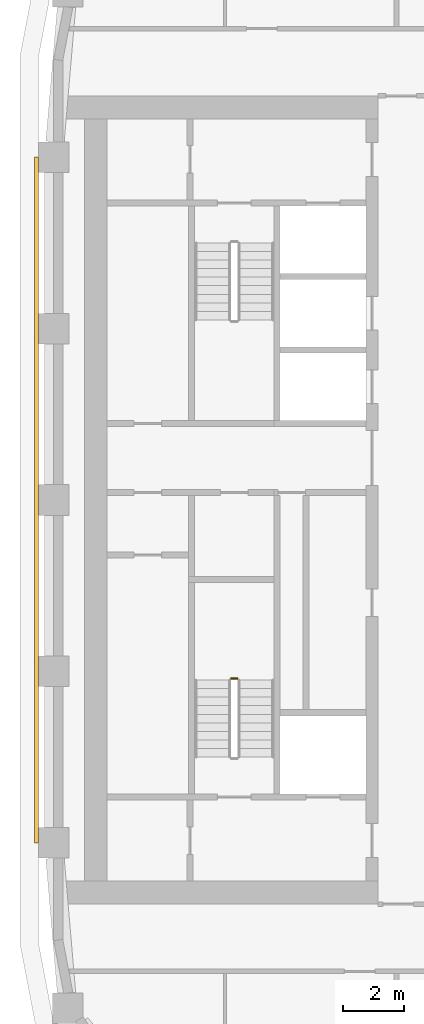
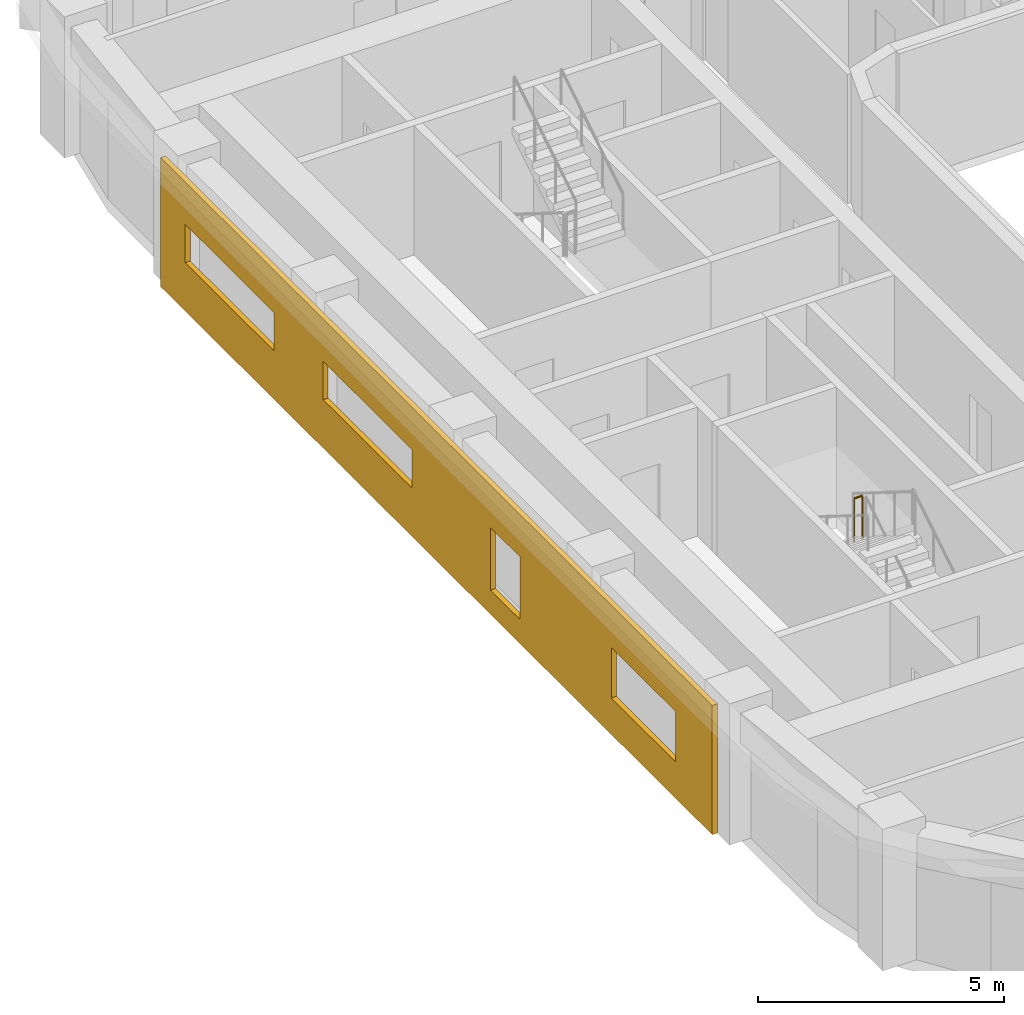
# One storey, part 13 of 22: 1 covering, 1 railing.
"""IFC4 building model written with IfcOpenShell, lengths in metres."""

from ifc_helpers import new_model, si_unit, direction, frame, origin, origin_2d, place, context, subcontext, project, spatial, polyline, circle, outline, extrude, material, layer, layer_set, type_object, element, save


model = new_model("IFC4")

# Units and contexts
model_context = context("Model", 3, precision=1e-05, world=origin(), true_north=direction((0.0, 1.0)))
body_context = subcontext(model_context, "Body", "Model", "MODEL_VIEW")
ifc_project = project(units=[si_unit("LENGTHUNIT", "METRE"), si_unit("AREAUNIT", "SQUARE_METRE"), si_unit("VOLUMEUNIT", "CUBIC_METRE"), si_unit("PLANEANGLEUNIT", "RADIAN"), si_unit("MASSUNIT", "GRAM", prefix="KILO")], contexts=[model_context])

# Site, building, storey
site_placement = place(None, origin())
site = spatial("IfcSite", under=ifc_project, at=site_placement, CompositionType="ELEMENT")
building_placement = place(site_placement, origin())
building = spatial("IfcBuilding", under=site, at=building_placement, Name="Kiln Ring Residences", CompositionType="ELEMENT")
storey_placement = place(building_placement, frame((0.0, 0.0, 167.60009765625)))
storey = spatial("IfcBuildingStorey", under=building, at=storey_placement, Name="L43", CompositionType="ELEMENT", Elevation=167.60009765625)

# Railing
ifc_material_1 = material(Name="Stainless steel", Category="steel")
railing_type = type_object("IfcRailingType", Name="CORE-STAIR-GUARD", PredefinedType="GUARDRAIL", material=ifc_material_1)
railing_placement = place(storey_placement, frame((-22.0, -5.830078125, 1.75)))
element("IfcRailing", 1, at=railing_placement, inside=storey, type_object=railing_type, Name="L43 W-STS stair guard 2", PredefinedType="GUARDRAIL", context=body_context, shape_type="SweptSolid", body=[
    extrude(circle(Radius=0.02392578125, at=origin_2d()), frame((0.0, 0.0, 1.076171875), z_axis=(-1.0, 0.0, 0.0), x_axis=(0.0, -1.0, 0.0)), (0.0, 0.0, 1.0), 0.199951171875),
    extrude(circle(Radius=0.02099609375, at=origin_2d()), origin(), (0.0, 0.0, 1.0), 1.052001953125),
    extrude(circle(Radius=0.02099609375, at=origin_2d()), frame((-0.199951171875, 0.0, 0.0)), (0.0, 0.0, 1.0), 1.052001953125),
])

# Covering
ifc_material_2 = material(Name="Brick masonry, dark clay brick", Category="masonry")
ifc_layer = layer(ifc_material_2, 0.1201171875)
ifc_layer_set = layer_set([ifc_layer], Name="RAINSCREEN PANEL 120")
covering_type = type_object("IfcCoveringType", Name="RAINSCREEN PANEL 120", PredefinedType="CLADDING", material=ifc_layer_set)
covering_placement = place(storey_placement, frame((-28.56005859375, 11.199951171875, 0.0), z_axis=(0.0, 0.0, 1.0), x_axis=(0.0, -1.0, 0.0)))
element("IfcCovering", 2, at=covering_placement, inside=storey, type_object=covering_type, Name="RAINSCREEN L43", PredefinedType="CLADDING", context=body_context, shape_type="SweptSolid", body=[
    extrude(outline(polyline([(0.0, 0.0), (22.39990234375, 0.0), (22.39990234375, 3.199951171875), (0.0, 3.199951171875), (0.0, 0.0)]), holes=[polyline([(14.60009765625, 0.599853515625), (14.60009765625, 2.14990234375), (13.39990234375, 2.14990234375), (13.39990234375, 0.599853515625), (14.60009765625, 0.599853515625)]), polyline([(20.89990234375, 0.89990234375), (20.89990234375, 2.14990234375), (18.300048828125, 2.14990234375), (18.300048828125, 0.89990234375), (20.89990234375, 0.89990234375)]), polyline([(4.60009765625, 1.199951171875), (4.60009765625, 2.14990234375), (1.0, 2.14990234375), (1.0, 1.199951171875), (4.60009765625, 1.199951171875)]), polyline([(10.199951171875, 1.199951171875), (10.199951171875, 2.14990234375), (6.60009765625, 2.14990234375), (6.60009765625, 1.199951171875), (10.199951171875, 1.199951171875)])]), frame((0.0, 0.06005859375, 0.0), z_axis=(0.0, -1.0, 0.0), x_axis=(1.0, 0.0, 0.0)), (0.0, 0.0, 1.0), 0.1201171875),
])

save(model, "model.ifc")
